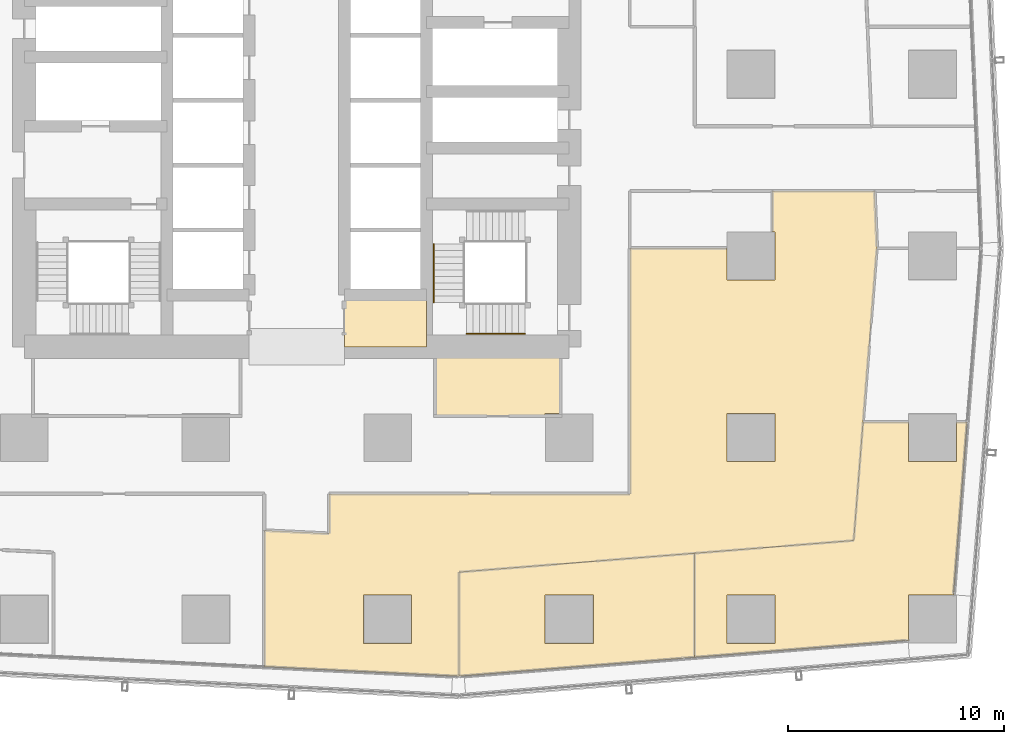
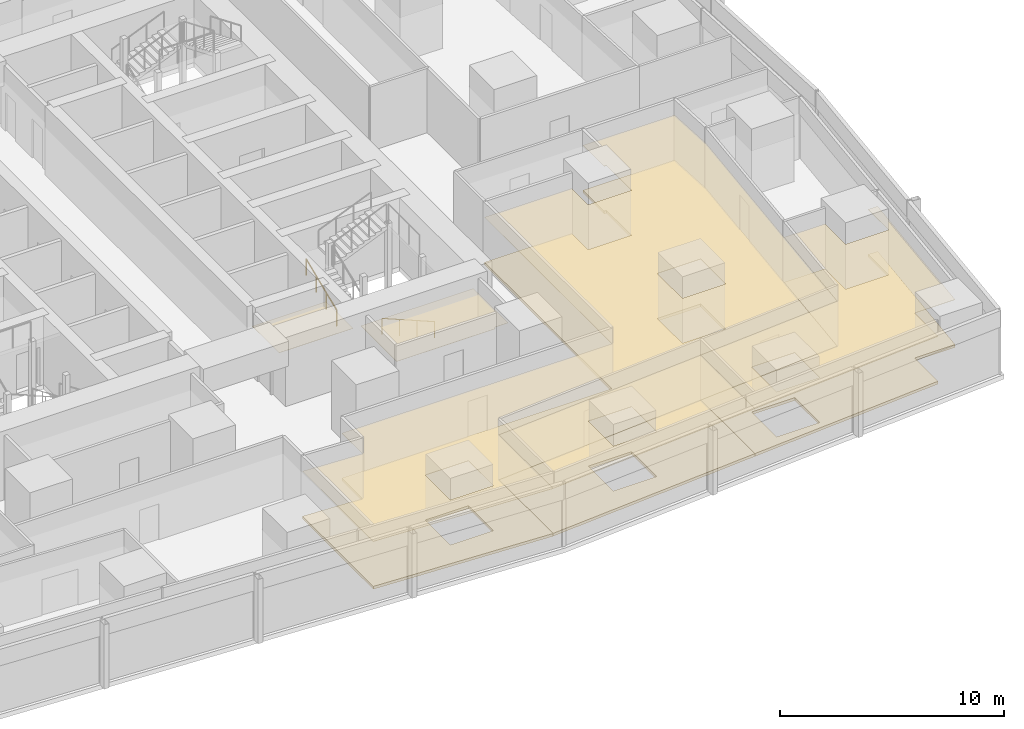
# One storey, part 38 of 44: 8 coverings, 2 railings.
"""IFC4 building model written with IfcOpenShell, lengths in metres."""

from ifc_helpers import new_model, si_unit, direction, frame, origin, origin_2d, place, context, subcontext, project, spatial, polyline, circle, outline, extrude, material, layer, layer_set, type_object, element, save


model = new_model("IFC4")

# Units and contexts
model_context = context("Model", 3, precision=1e-05, world=origin(), true_north=direction((0.0, 1.0)))
body_context = subcontext(model_context, "Body", "Model", "MODEL_VIEW")
ifc_project = project(units=[si_unit("LENGTHUNIT", "METRE"), si_unit("AREAUNIT", "SQUARE_METRE"), si_unit("VOLUMEUNIT", "CUBIC_METRE"), si_unit("PLANEANGLEUNIT", "RADIAN"), si_unit("MASSUNIT", "GRAM", prefix="KILO")], contexts=[model_context])

# Site, building, storey
site_placement = place(None, origin())
site = spatial("IfcSite", under=ifc_project, at=site_placement, CompositionType="ELEMENT")
building_placement = place(site_placement, origin())
building = spatial("IfcBuilding", under=site, at=building_placement, Name="Rekha Terrace Tower", CompositionType="ELEMENT")
storey_placement = place(building_placement, frame((0.0, 0.0, 51.64990234375)))
storey = spatial("IfcBuildingStorey", under=building, at=storey_placement, Name="L12", CompositionType="ELEMENT", Elevation=51.64990234375)

# Coverings
ifc_material_1 = material(Name="Mineral fibre tile in exposed grid", Category="finish")
ifc_layer_1 = layer(ifc_material_1, 0.02001953125)
ifc_layer_set_1 = layer_set([ifc_layer_1], Name="Mineral fibre tile in exposed grid")
covering_type_1 = type_object("IfcCoveringType", Name="CL1 600x1200 office grid ceiling", PredefinedType="CEILING", material=ifc_layer_set_1)
covering_1_placement = place(storey_placement, frame((0.0, 0.0, 2.580078125)))
element("IfcCovering", 1, at=covering_1_placement, inside=storey, type_object=covering_type_1, Name="Ceiling L12-02", PredefinedType="CEILING", context=body_context, shape_type="SweptSolid", body=[
    extrude(outline(polyline([(56.196044921875, 6.636962890625), (56.196044921875, 11.452880859375), (45.304931640625, 10.580078125), (45.304931640625, 5.764892578125), (56.196044921875, 6.636962890625)]), holes=[polyline([(51.514892578125, 7.284912109375), (49.284912109375, 7.284912109375), (49.284912109375, 9.514892578125), (51.514892578125, 9.514892578125), (51.514892578125, 7.284912109375)])]), origin(), (0.0, 0.0, 1.0), 0.02001953125),
])
covering_2_placement = place(storey_placement, frame((0.0, 0.0, 2.580078125)))
element("IfcCovering", 2, at=covering_2_placement, inside=storey, type_object=covering_type_1, Name="Ceiling L12-03", PredefinedType="CEILING", context=body_context, shape_type="SweptSolid", body=[
    extrude(outline(polyline([(63.553955078125, 12.0419921875), (56.197021484375, 11.452880859375), (56.197021484375, 6.636962890625), (66.0849609375, 7.428955078125), (66.0849609375, 9.514892578125), (68.16796875, 9.514892578125), (68.803955078125, 17.52294921875), (68.31494140625, 17.52294921875), (68.31494140625, 15.68505859375), (66.0849609375, 15.68505859375), (66.0849609375, 17.52294921875), (63.988037109375, 17.52294921875), (63.553955078125, 12.0419921875)]), holes=[polyline([(59.9150390625, 7.284912109375), (57.68505859375, 7.284912109375), (57.68505859375, 9.514892578125), (59.9150390625, 9.514892578125), (59.9150390625, 7.284912109375)])]), origin(), (0.0, 0.0, 1.0), 0.02001953125),
])
covering_3_placement = place(storey_placement, frame((0.0, 0.0, 2.580078125)))
element("IfcCovering", 3, at=covering_3_placement, inside=storey, type_object=covering_type_1, Name="Ceiling L12-O1", PredefinedType="CEILING", context=body_context, shape_type="SweptSolid", body=[
    extrude(outline(polyline([(45.304931640625, 10.580078125), (56.196044921875, 11.452880859375), (63.553955078125, 12.0419921875), (63.988037109375, 17.52294921875), (63.989013671875, 17.52294921875), (64.625, 25.551025390625), (64.632080078125, 25.551025390625), (64.51904296875, 28.199951171875), (59.800048828125, 28.199951171875), (59.800048828125, 26.31494140625), (59.9150390625, 26.31494140625), (59.9150390625, 24.0849609375), (57.68505859375, 24.0849609375), (57.68505859375, 25.552001953125), (53.199951171875, 25.552001953125), (53.199951171875, 14.199951171875), (39.300048828125, 14.199951171875), (39.300048828125, 12.363037109375), (36.301025390625, 12.510009765625), (36.301025390625, 6.202880859375), (45.27197265625, 5.761962890625), (45.304931640625, 5.764892578125), (45.304931640625, 10.580078125)]), holes=[polyline([(59.9150390625, 17.9150390625), (59.9150390625, 15.68505859375), (57.68505859375, 15.68505859375), (57.68505859375, 17.9150390625), (59.9150390625, 17.9150390625)]), polyline([(43.114990234375, 7.284912109375), (40.885009765625, 7.284912109375), (40.885009765625, 9.514892578125), (43.114990234375, 9.514892578125), (43.114990234375, 7.284912109375)])]), origin(), (0.0, 0.0, 1.0), 0.02001953125),
])
ifc_material_2 = material(Name="Fibre cement board", Category="finish")
ifc_layer_2 = layer(ifc_material_2, 0.014892578125)
ifc_layer_set_2 = layer_set([ifc_layer_2], Name="Fibre cement board")
covering_type_2 = type_object("IfcCoveringType", Name="CL2 moisture-resistant board ceiling", PredefinedType="CEILING", material=ifc_layer_set_2)
covering_4_placement = place(storey_placement, frame((0.0, 0.0, 2.585205078125)))
element("IfcCovering", 4, at=covering_4_placement, inside=storey, type_object=covering_type_2, Name="Ceiling L12-WCA", PredefinedType="CEILING", context=body_context, shape_type="SweptSolid", body=[
    extrude(outline(polyline([(43.800048828125, 23.39990234375), (40.0, 23.39990234375), (40.0, 21.0), (43.800048828125, 21.0), (43.800048828125, 23.39990234375)])), origin(), (0.0, 0.0, 1.0), 0.014892578125),
])
covering_5_placement = place(storey_placement, frame((0.0, 0.0, 2.585205078125)))
element("IfcCovering", 5, at=covering_5_placement, inside=storey, type_object=covering_type_2, Name="Ceiling L12-WCM2", PredefinedType="CEILING", context=body_context, shape_type="SweptSolid", body=[
    extrude(outline(polyline([(50.0, 21.0), (44.199951171875, 21.0), (44.199951171875, 17.800048828125), (49.284912109375, 17.800048828125), (49.284912109375, 17.9150390625), (50.0, 17.9150390625), (50.0, 21.0)])), origin(), (0.0, 0.0, 1.0), 0.014892578125),
])

# Railings
ifc_material_3 = material(Name="Stainless steel tube", Category="steel")
railing_type = type_object("IfcRailingType", Name="HR1 900 stair handrail", PredefinedType="HANDRAIL", material=ifc_material_3)
railing_1_placement = place(storey_placement, frame((48.35009765625, 21.610107421875, 0.125)))
element("IfcRailing", 6, at=railing_1_placement, inside=storey, type_object=railing_type, Name="Handrail ST3 L12 flight 1", PredefinedType="HANDRAIL", context=body_context, shape_type="SweptSolid", body=[
    extrude(circle(Radius=0.02392578125, at=origin_2d()), frame((0.0, 0.0, 0.8759765625), z_axis=(-0.923086799901, 0.0, 0.38459167938), x_axis=(0.0, -1.0, 0.0)), (0.0, 0.0, 1.0), 2.92529296875),
    extrude(circle(Radius=0.02099609375, at=origin_2d()), origin(), (0.0, 0.0, 1.0), 0.851806640625),
    extrude(circle(Radius=0.02099609375, at=origin_2d()), frame((-0.900146484375, 0.0, 0.375)), (0.0, 0.0, 1.0), 0.851806640625),
    extrude(circle(Radius=0.02099609375, at=origin_2d()), frame((-1.800048828125, 0.0, 0.75)), (0.0, 0.0, 1.0), 0.851806640625),
    extrude(circle(Radius=0.02099609375, at=origin_2d()), frame((-2.7001953125, 0.0, 1.125)), (0.0, 0.0, 1.0), 0.851806640625),
])
railing_2_placement = place(storey_placement, frame((44.135009765625, 23.050048828125, 1.375)))
element("IfcRailing", 7, at=railing_2_placement, inside=storey, type_object=railing_type, Name="Handrail ST3 L12 flight 2", PredefinedType="HANDRAIL", context=body_context, shape_type="SweptSolid", body=[
    extrude(circle(Radius=0.02392578125, at=origin_2d()), frame((0.0, 0.0, 0.8759765625), z_axis=(0.0, 0.923074453586, 0.384621311341), x_axis=(-1.0, 0.0, 0.0)), (0.0, 0.0, 1.0), 2.925048828125),
    extrude(circle(Radius=0.02099609375, at=origin_2d()), origin(), (0.0, 0.0, 1.0), 0.851806640625),
    extrude(circle(Radius=0.02099609375, at=origin_2d()), frame((0.0, 0.89990234375, 0.375)), (0.0, 0.0, 1.0), 0.851806640625),
    extrude(circle(Radius=0.02099609375, at=origin_2d()), frame((0.0, 1.800048828125, 0.75)), (0.0, 0.0, 1.0), 0.851806640625),
    extrude(circle(Radius=0.02099609375, at=origin_2d()), frame((0.0, 2.699951171875, 1.125)), (0.0, 0.0, 1.0), 0.851806640625),
])

# Coverings
ifc_material_4 = material(Name="Calcium sulphate panels on steel pedestals", Category="steel")
ifc_layer_3 = layer(ifc_material_4, 0.14990234375)
ifc_layer_set_3 = layer_set([ifc_layer_3], Name="Calcium sulphate panels on steel pedestals")
covering_type_3 = type_object("IfcCoveringType", Name="RF1 150 raised access floor", PredefinedType="FLOORING", material=ifc_layer_set_3)
covering_6_placement = place(storey_placement, origin())
element("IfcCovering", 8, at=covering_6_placement, inside=storey, type_object=covering_type_3, Name="Raised floor L12-02", PredefinedType="FLOORING", context=body_context, shape_type="SweptSolid", body=[
    extrude(outline(polyline([(56.196044921875, 6.636962890625), (56.196044921875, 11.452880859375), (45.304931640625, 10.580078125), (45.304931640625, 5.764892578125), (56.196044921875, 6.636962890625)]), holes=[polyline([(51.514892578125, 7.284912109375), (49.284912109375, 7.284912109375), (49.284912109375, 9.514892578125), (51.514892578125, 9.514892578125), (51.514892578125, 7.284912109375)])]), origin(), (0.0, 0.0, 1.0), 0.150146484375),
])
covering_7_placement = place(storey_placement, origin())
element("IfcCovering", 9, at=covering_7_placement, inside=storey, type_object=covering_type_3, Name="Raised floor L12-03", PredefinedType="FLOORING", context=body_context, shape_type="SweptSolid", body=[
    extrude(outline(polyline([(63.553955078125, 12.0419921875), (56.197021484375, 11.452880859375), (56.197021484375, 6.636962890625), (66.0849609375, 7.428955078125), (66.0849609375, 9.514892578125), (68.16796875, 9.514892578125), (68.803955078125, 17.52294921875), (68.31494140625, 17.52294921875), (68.31494140625, 15.68505859375), (66.0849609375, 15.68505859375), (66.0849609375, 17.52294921875), (63.988037109375, 17.52294921875), (63.553955078125, 12.0419921875)]), holes=[polyline([(59.9150390625, 7.284912109375), (57.68505859375, 7.284912109375), (57.68505859375, 9.514892578125), (59.9150390625, 9.514892578125), (59.9150390625, 7.284912109375)])]), origin(), (0.0, 0.0, 1.0), 0.150146484375),
])
covering_8_placement = place(storey_placement, origin())
element("IfcCovering", 10, at=covering_8_placement, inside=storey, type_object=covering_type_3, Name="Raised floor L12-O1", PredefinedType="FLOORING", context=body_context, shape_type="SweptSolid", body=[
    extrude(outline(polyline([(45.304931640625, 10.580078125), (56.196044921875, 11.452880859375), (63.553955078125, 12.0419921875), (63.988037109375, 17.52294921875), (63.989013671875, 17.52294921875), (64.625, 25.551025390625), (64.632080078125, 25.551025390625), (64.51904296875, 28.199951171875), (59.800048828125, 28.199951171875), (59.800048828125, 26.31494140625), (59.9150390625, 26.31494140625), (59.9150390625, 24.0849609375), (57.68505859375, 24.0849609375), (57.68505859375, 25.552001953125), (53.199951171875, 25.552001953125), (53.199951171875, 14.199951171875), (39.300048828125, 14.199951171875), (39.300048828125, 12.363037109375), (36.301025390625, 12.510009765625), (36.301025390625, 6.202880859375), (45.27197265625, 5.761962890625), (45.304931640625, 5.764892578125), (45.304931640625, 10.580078125)]), holes=[polyline([(59.9150390625, 17.9150390625), (59.9150390625, 15.68505859375), (57.68505859375, 15.68505859375), (57.68505859375, 17.9150390625), (59.9150390625, 17.9150390625)]), polyline([(43.114990234375, 7.284912109375), (40.885009765625, 7.284912109375), (40.885009765625, 9.514892578125), (43.114990234375, 9.514892578125), (43.114990234375, 7.284912109375)])]), origin(), (0.0, 0.0, 1.0), 0.150146484375),
])

save(model, "model.ifc")
